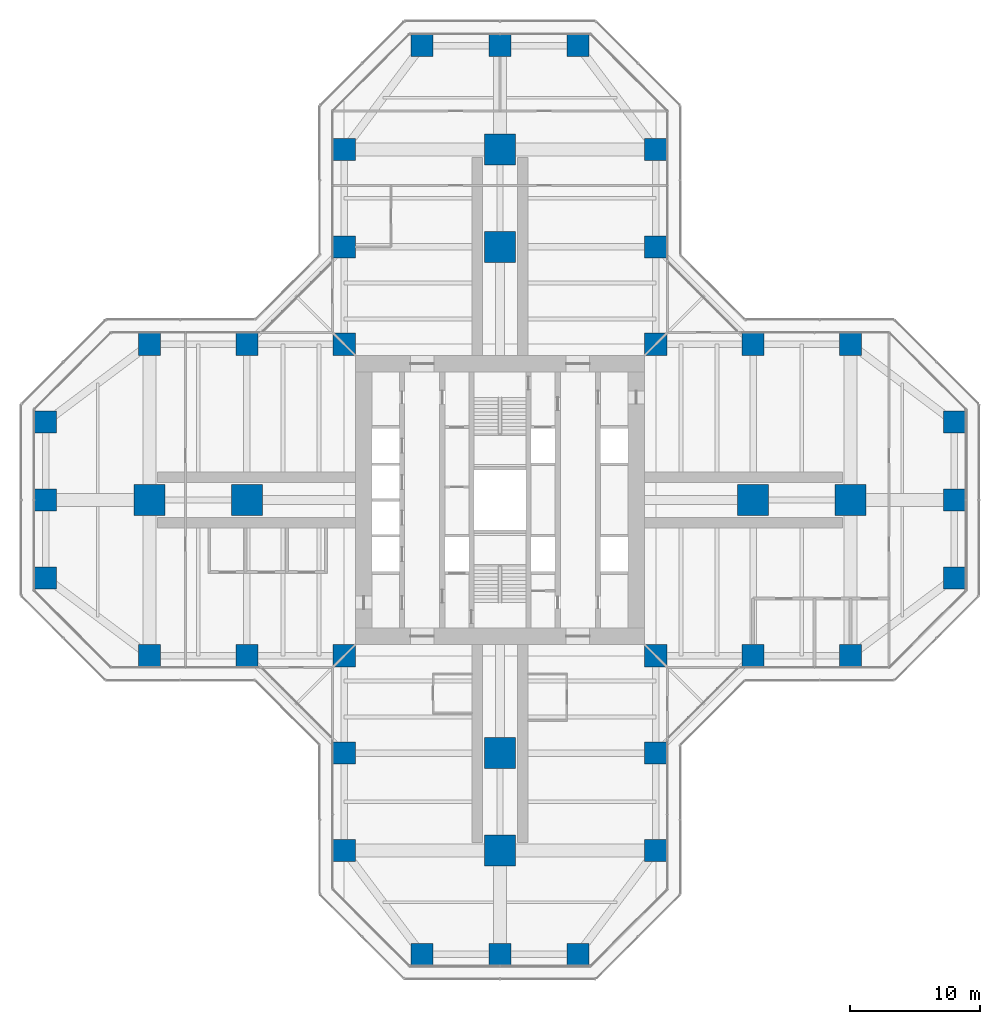
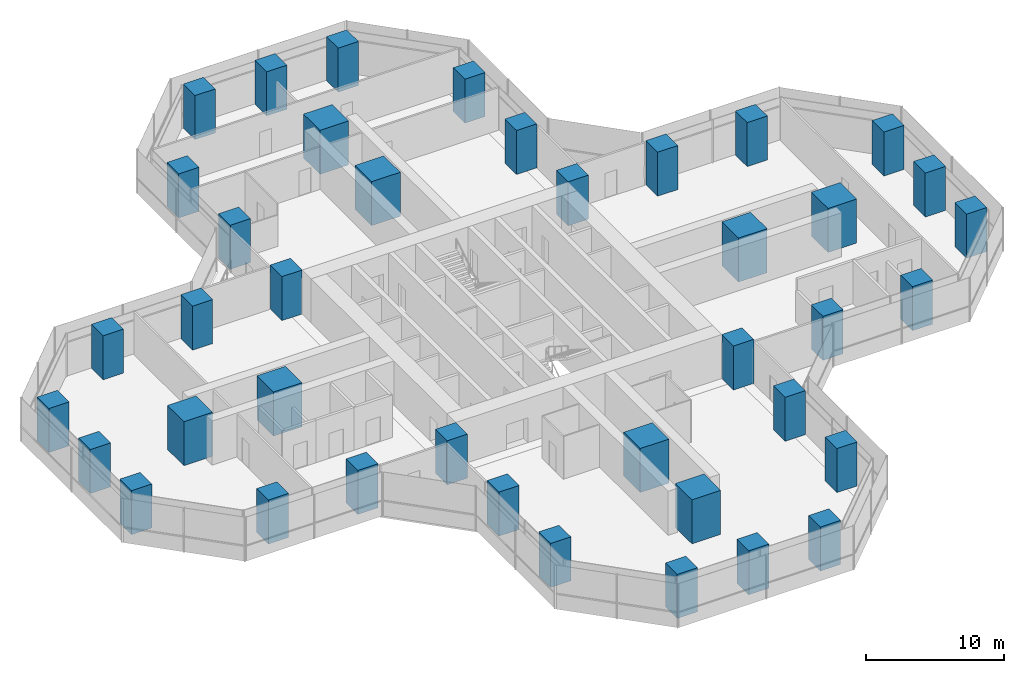
# One storey, part 1 of 22: 40 columns.
"""IFC4 building model written with IfcOpenShell, lengths in metres."""

from ifc_helpers import new_model, si_unit, direction, frame, origin, origin_2d, place, context, subcontext, project, spatial, rectangle, extrude, material, material_profile, profile_set, type_object, element, save


model = new_model("IFC4")

# Units and contexts
model_context = context("Model", 3, precision=1e-05, world=origin(), true_north=direction((0.0, 1.0)))
body_context = subcontext(model_context, "Body", "Model", "MODEL_VIEW")
ifc_project = project(units=[si_unit("LENGTHUNIT", "METRE"), si_unit("AREAUNIT", "SQUARE_METRE"), si_unit("VOLUMEUNIT", "CUBIC_METRE"), si_unit("PLANEANGLEUNIT", "RADIAN"), si_unit("MASSUNIT", "GRAM", prefix="KILO")], contexts=[model_context])

# Site, building, storey
site_placement = place(None, origin())
site = spatial("IfcSite", under=ifc_project, at=site_placement, CompositionType="ELEMENT")
building_placement = place(site_placement, origin())
building = spatial("IfcBuilding", under=site, at=building_placement, Name="Mizan Broadcast Tower", CompositionType="ELEMENT")
storey_placement = place(building_placement, frame((0.0, 0.0, 47.39990234375)))
storey = spatial("IfcBuildingStorey", under=building, at=storey_placement, Name="L08", CompositionType="ELEMENT", Elevation=47.39990234375)

# Columns
ifc_material_1 = material(Name="Concrete C70/85", Category="concrete")
ifc_material_profile_1 = material_profile(ifc_material_1, rectangle(XDim=1.699951171875, YDim=1.699951171875, at=origin_2d()), Name="RC 1700x1700")
ifc_profile_set_1 = profile_set([ifc_material_profile_1], Name="Concrete C70/85")
column_type_1 = type_object("IfcColumnType", Name="RC COLUMN 1700x1700 C70/85", PredefinedType="COLUMN", material=ifc_profile_set_1)
for number, where, z_axis, x_axis, name in (
    (1, (-6.0, -35.0, 0.0), (0.0, 0.0, 1.0), (1.0, 0.0, 0.0), "Column 5/A L08"),
    (2, (0.0, -35.0, 0.0), (0.0, 0.0, 1.0), (1.0, 0.0, 0.0), "Column 6/A L08"),
    (3, (6.0, -35.0, 0.0), (0.0, 0.0, 1.0), (1.0, 0.0, 0.0), "Column 7/A L08"),
    (4, (-12.0, -27.0, 0.0), (0.0, 0.0, 1.0), (1.0, 0.0, 0.0), "Column 4/B L08"),
    (5, (12.0, -27.0, 0.0), (0.0, 0.0, 1.0), (1.0, 0.0, 0.0), "Column 8/B L08"),
    (6, (-12.0, -19.5, 0.0), (0.0, 0.0, 1.0), (1.0, 0.0, 0.0), "Column 4/C L08"),
    (7, (12.0, -19.5, 0.0), (0.0, 0.0, 1.0), (1.0, 0.0, 0.0), "Column 8/C L08"),
    (8, (-27.0, -12.0, 0.0), (0.0, 0.0, 1.0), (1.0, 0.0, 0.0), "Column 2/D L08"),
    (9, (-19.5, -12.0, 0.0), (0.0, 0.0, 1.0), (1.0, 0.0, 0.0), "Column 3/D L08"),
    (10, (-12.0, -12.0, 0.0), (0.0, 0.0, 1.0), (1.0, 0.0, 0.0), "Column 4/D L08"),
    (11, (12.0, -12.0, 0.0), (0.0, 0.0, 1.0), (1.0, 0.0, 0.0), "Column 8/D L08"),
    (12, (19.5, -12.0, 0.0), (0.0, 0.0, 1.0), (1.0, 0.0, 0.0), "Column 9/D L08"),
    (13, (27.0, -12.0, 0.0), (0.0, 0.0, 1.0), (1.0, 0.0, 0.0), "Column 10/D L08"),
    (14, (-35.0, -6.0, 0.0), (0.0, 0.0, 1.0), (1.0, 0.0, 0.0), "Column 1/E L08"),
    (15, (35.0, -6.0, 0.0), (0.0, 0.0, 1.0), (1.0, 0.0, 0.0), "Column 11/E L08"),
    (16, (-35.0, 0.0, 0.0), (0.0, 0.0, 1.0), (1.0, 0.0, 0.0), "Column 1/F L08"),
    (17, (35.0, 0.0, 0.0), (0.0, 0.0, 1.0), (1.0, 0.0, 0.0), "Column 11/F L08"),
    (18, (-35.0, 6.0, 0.0), (0.0, 0.0, 1.0), (1.0, 0.0, 0.0), "Column 1/G L08"),
    (19, (35.0, 6.0, 0.0), (0.0, 0.0, 1.0), (1.0, 0.0, 0.0), "Column 11/G L08"),
    (20, (-27.0, 12.0, 0.0), (0.0, 0.0, 1.0), (1.0, 0.0, 0.0), "Column 2/H L08"),
    (21, (-19.5, 12.0, 0.0), (0.0, 0.0, 1.0), (1.0, 0.0, 0.0), "Column 3/H L08"),
    (22, (-12.0, 12.0, 0.0), (0.0, 0.0, 1.0), (1.0, 0.0, 0.0), "Column 4/H L08"),
    (23, (12.0, 12.0, 0.0), (0.0, 0.0, 1.0), (1.0, 0.0, 0.0), "Column 8/H L08"),
    (24, (19.5, 12.0, 0.0), (0.0, 0.0, 1.0), (1.0, 0.0, 0.0), "Column 9/H L08"),
    (25, (27.0, 12.0, 0.0), (0.0, 0.0, 1.0), (1.0, 0.0, 0.0), "Column 10/H L08"),
    (26, (-12.0, 19.5, 0.0), (0.0, 0.0, 1.0), (1.0, 0.0, 0.0), "Column 4/J L08"),
    (27, (12.0, 19.5, 0.0), (0.0, 0.0, 1.0), (1.0, 0.0, 0.0), "Column 8/J L08"),
    (28, (-12.0, 27.0, 0.0), (0.0, 0.0, 1.0), (1.0, 0.0, 0.0), "Column 4/K L08"),
    (29, (12.0, 27.0, 0.0), (0.0, 0.0, 1.0), (1.0, 0.0, 0.0), "Column 8/K L08"),
    (30, (-6.0, 35.0, 0.0), (0.0, 0.0, 1.0), (1.0, 0.0, 0.0), "Column 5/L L08"),
    (31, (0.0, 35.0, 0.0), (0.0, 0.0, 1.0), (1.0, 0.0, 0.0), "Column 6/L L08"),
    (32, (6.0, 35.0, 0.0), (0.0, 0.0, 1.0), (1.0, 0.0, 0.0), "Column 7/L L08"),
):
    element("IfcColumn", number, at=place(storey_placement, frame(where, z_axis=z_axis, x_axis=x_axis)), inside=storey, type_object=column_type_1, Name=name, PredefinedType="COLUMN", context=body_context, shape_type="SweptSolid", body=[
        extrude(rectangle(XDim=1.699951171875, YDim=1.699951171875, at=origin_2d()), origin(), (0.0, 0.0, 1.0), 3.900146484375),
    ])
ifc_material_2 = material(Name="Concrete C70/85", Category="concrete")
ifc_material_profile_2 = material_profile(ifc_material_2, rectangle(XDim=2.39990234375, YDim=2.39990234375, at=origin_2d()), Name="RC 2400x2400")
ifc_profile_set_2 = profile_set([ifc_material_profile_2], Name="Concrete C70/85")
column_type_2 = type_object("IfcColumnType", Name="RC COLUMN 2400x2400 C70/85", PredefinedType="COLUMN", material=ifc_profile_set_2)
for number, where, z_axis, x_axis, name in (
    (33, (0.0, -27.0, 0.0), (0.0, 0.0, 1.0), (1.0, 0.0, 0.0), "Column 6/B L08"),
    (34, (0.0, -19.5, 0.0), (0.0, 0.0, 1.0), (1.0, 0.0, 0.0), "Column 6/C L08"),
    (35, (-27.0, 0.0, 0.0), (0.0, 0.0, 1.0), (1.0, 0.0, 0.0), "Column 2/F L08"),
    (36, (-19.5, 0.0, 0.0), (0.0, 0.0, 1.0), (1.0, 0.0, 0.0), "Column 3/F L08"),
    (37, (19.5, 0.0, 0.0), (0.0, 0.0, 1.0), (1.0, 0.0, 0.0), "Column 9/F L08"),
    (38, (27.0, 0.0, 0.0), (0.0, 0.0, 1.0), (1.0, 0.0, 0.0), "Column 10/F L08"),
    (39, (0.0, 19.5, 0.0), (0.0, 0.0, 1.0), (1.0, 0.0, 0.0), "Column 6/J L08"),
    (40, (0.0, 27.0, 0.0), (0.0, 0.0, 1.0), (1.0, 0.0, 0.0), "Column 6/K L08"),
):
    element("IfcColumn", number, at=place(storey_placement, frame(where, z_axis=z_axis, x_axis=x_axis)), inside=storey, type_object=column_type_2, Name=name, PredefinedType="COLUMN", context=body_context, shape_type="SweptSolid", body=[
        extrude(rectangle(XDim=2.39990234375, YDim=2.39990234375, at=origin_2d()), origin(), (0.0, 0.0, 1.0), 3.900146484375),
    ])

save(model, "model.ifc")
